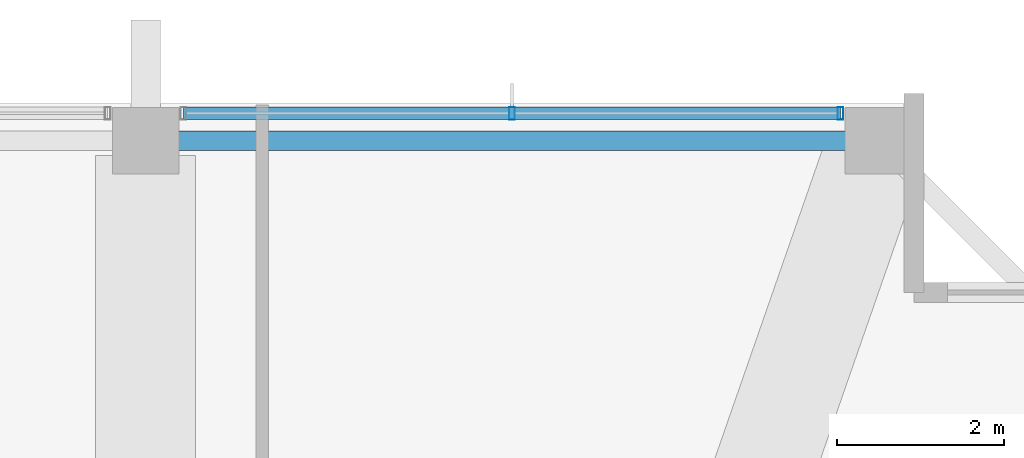
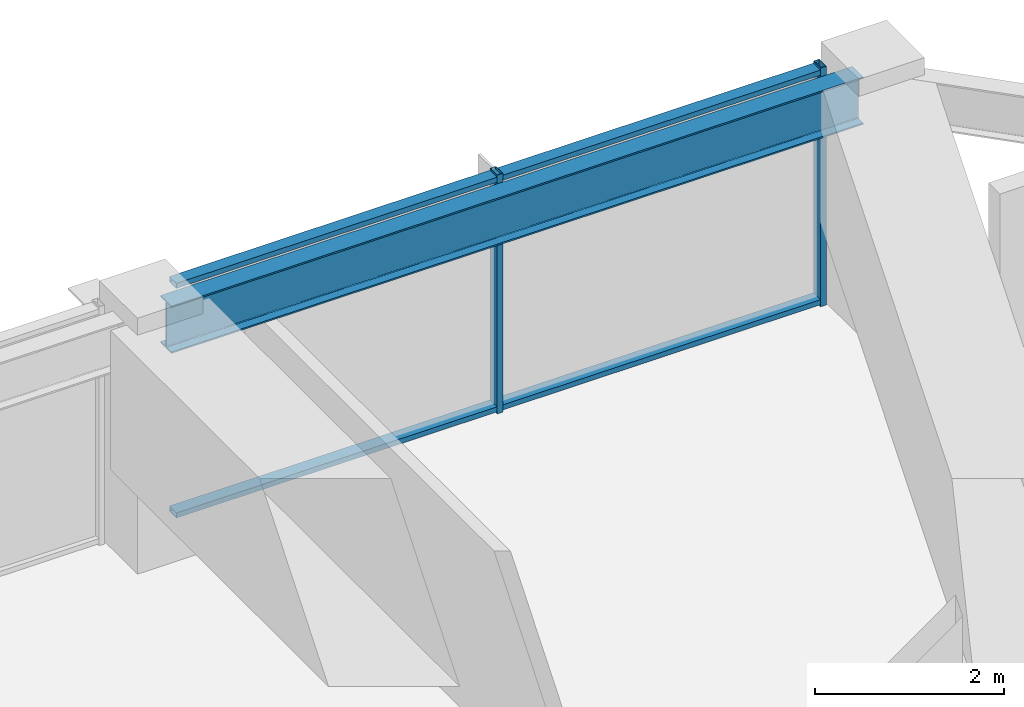
# One storey, part 21 of 35: 4 members, 1 beam, 1 element without a shape of its own.
"""IFC4 building model written with IfcOpenShell, lengths in metres."""

from ifc_helpers import new_model, si_unit, direction, frame, origin, origin_2d, place, context, subcontext, project, spatial, hollow_rectangle, i_section, extrude, material, material_profile, profile_set, type_object, element, aggregate, save


model = new_model("IFC4")

# Units and contexts
model_context = context("Model", 3, precision=1e-05, world=origin(), true_north=direction((0.0, 1.0)))
body_context = subcontext(model_context, "Body", "Model", "MODEL_VIEW")
ifc_project = project(units=[si_unit("LENGTHUNIT", "METRE"), si_unit("AREAUNIT", "SQUARE_METRE"), si_unit("VOLUMEUNIT", "CUBIC_METRE"), si_unit("PLANEANGLEUNIT", "RADIAN"), si_unit("MASSUNIT", "GRAM", prefix="KILO")], contexts=[model_context])

# Site, building, storey
site_placement = place(None, origin())
site = spatial("IfcSite", under=ifc_project, at=site_placement, CompositionType="ELEMENT")
building_placement = place(site_placement, origin())
building = spatial("IfcBuilding", under=site, at=building_placement, Name="Kolvaren Belvedere", CompositionType="ELEMENT")
storey_placement = place(building_placement, frame((0.0, 0.0, 203.10009765625)))
storey = spatial("IfcBuildingStorey", under=building, at=storey_placement, Name="L59", CompositionType="ELEMENT", Elevation=203.10009765625)

# Beam
ifc_material_1 = material(Name="Structural steel ASTM A992 Grade 50", Category="steel")
ifc_material_profile_1 = material_profile(ifc_material_1, i_section(OverallWidth=0.22900390625, OverallDepth=0.612060546875, WebThickness=0.011962890625, FlangeThickness=0.01953125, FilletRadius=0.01806640625, at=origin_2d()), Name="W24X84")
ifc_profile_set_1 = profile_set([ifc_material_profile_1], Name="Structural steel ASTM A992 Grade 50")
beam_type = type_object("IfcBeamType", Name="BM-SPAN-W24X84", PredefinedType="SPANDREL", material=ifc_profile_set_1)
beam_placement = place(storey_placement, frame((13.219970703125, 19.949951171875, 2.77392578125), z_axis=(-1.0, 0.0, 0.0), x_axis=(0.0, -1.0, 0.0)))
element("IfcBeam", 1, at=beam_placement, inside=storey, type_object=beam_type, Name="L59 Perimeter Spandrel N4-N3", PredefinedType="SPANDREL", context=body_context, shape_type="SweptSolid", body=[
    extrude(i_section(OverallWidth=0.22900390625, OverallDepth=0.612060546875, WebThickness=0.011962890625, FlangeThickness=0.01953125, FilletRadius=0.01806640625, at=origin_2d()), origin(), (0.0, 0.0, 1.0), 8.43994140625),
])

# Curtain wall, members
ifc_material_2 = material(Name="Anodised pale-metal aluminium AA 6063-T6", Category="aluminium")
curtain_wall_type = type_object("IfcCurtainWallType", Name="CW-Z5-HIGH", PredefinedType="NOTDEFINED", material=ifc_material_2)
curtain_wall_placement = place(storey_placement, origin())
curtain_wall = element("IfcCurtainWall", 2, at=curtain_wall_placement, inside=storey, type_object=curtain_wall_type, Name="L59 Unitised Curtain Wall FCW-L59-N-B3", PredefinedType="NOTDEFINED")
ifc_material_3 = material(Name="Anodised pale-metal aluminium AA 6063-T6", Category="aluminium")
ifc_material_profile_2 = material_profile(ifc_material_3, hollow_rectangle(XDim=0.070068359375, YDim=0.14990234375, WallThickness=0.004150390625, at=origin_2d()), Name="ALU-MUL-150X70")
ifc_profile_set_2 = profile_set([ifc_material_profile_2], Name="Anodised pale-metal aluminium AA 6063-T6")
member_type_1 = type_object("IfcMemberType", Name="CW-MUL-150", PredefinedType="MULLION", material=ifc_profile_set_2)
member_1_placement = place(storey_placement, frame((9.0, 20.280029296875, 0.0), z_axis=(0.0, 0.0, 1.0), x_axis=(1.0, 0.0, 0.0)))
member_1 = element("IfcMember", 3, at=member_1_placement, type_object=member_type_1, Name="FCW-L59-N-B3 Unitised Mullion 2", PredefinedType="MULLION", context=body_context, shape_type="SweptSolid", body=[
    extrude(hollow_rectangle(XDim=0.070068359375, YDim=0.14990234375, WallThickness=0.004150390625, at=origin_2d()), origin(), (0.0, 0.0, 1.0), 3.079833984375),
])
member_2_placement = place(storey_placement, frame((12.945068359375, 20.280029296875, 0.0), z_axis=(0.0, 0.0, 1.0), x_axis=(1.0, 0.0, 0.0)))
member_2 = element("IfcMember", 4, at=member_2_placement, type_object=member_type_1, Name="FCW-L59-N-B3 Unitised Mullion 3", PredefinedType="MULLION", context=body_context, shape_type="SweptSolid", body=[
    extrude(hollow_rectangle(XDim=0.070068359375, YDim=0.14990234375, WallThickness=0.004150390625, at=origin_2d()), origin(), (0.0, 0.0, 1.0), 3.079833984375),
])
ifc_material_4 = material(Name="Anodised pale-metal aluminium AA 6063-T6", Category="aluminium")
ifc_material_profile_3 = material_profile(ifc_material_4, hollow_rectangle(XDim=0.06494140625, YDim=0.14990234375, WallThickness=0.00390625, at=origin_2d()), Name="ALU-TRN-150X65")
ifc_profile_set_3 = profile_set([ifc_material_profile_3], Name="Anodised pale-metal aluminium AA 6063-T6")
member_type_2 = type_object("IfcMemberType", Name="CW-TRN-150", PredefinedType="USERDEFINED", material=ifc_profile_set_3)
member_3_placement = place(storey_placement, frame((5.054931640625, 20.280029296875, 0.059814453125), z_axis=(1.0, 0.0, 0.0), x_axis=(0.0, 0.0, 1.0)))
member_3 = element("IfcMember", 5, at=member_3_placement, type_object=member_type_2, Name="FCW-L59-N-B3 Sill Transom", ObjectType="TRANSOM", PredefinedType="USERDEFINED", context=body_context, shape_type="SweptSolid", body=[
    extrude(hollow_rectangle(XDim=0.06494140625, YDim=0.14990234375, WallThickness=0.00390625, at=origin_2d()), origin(), (0.0, 0.0, 1.0), 7.89013671875),
])
member_4_placement = place(storey_placement, frame((5.054931640625, 20.280029296875, 3.02001953125), z_axis=(1.0, 0.0, 0.0), x_axis=(0.0, 0.0, 1.0)))
member_4 = element("IfcMember", 6, at=member_4_placement, type_object=member_type_2, Name="FCW-L59-N-B3 Head Transom", ObjectType="TRANSOM", PredefinedType="USERDEFINED", context=body_context, shape_type="SweptSolid", body=[
    extrude(hollow_rectangle(XDim=0.06494140625, YDim=0.14990234375, WallThickness=0.00390625, at=origin_2d()), origin(), (0.0, 0.0, 1.0), 7.89013671875),
])
aggregate(curtain_wall, [member_1, member_2, member_3, member_4])

save(model, "model.ifc")
